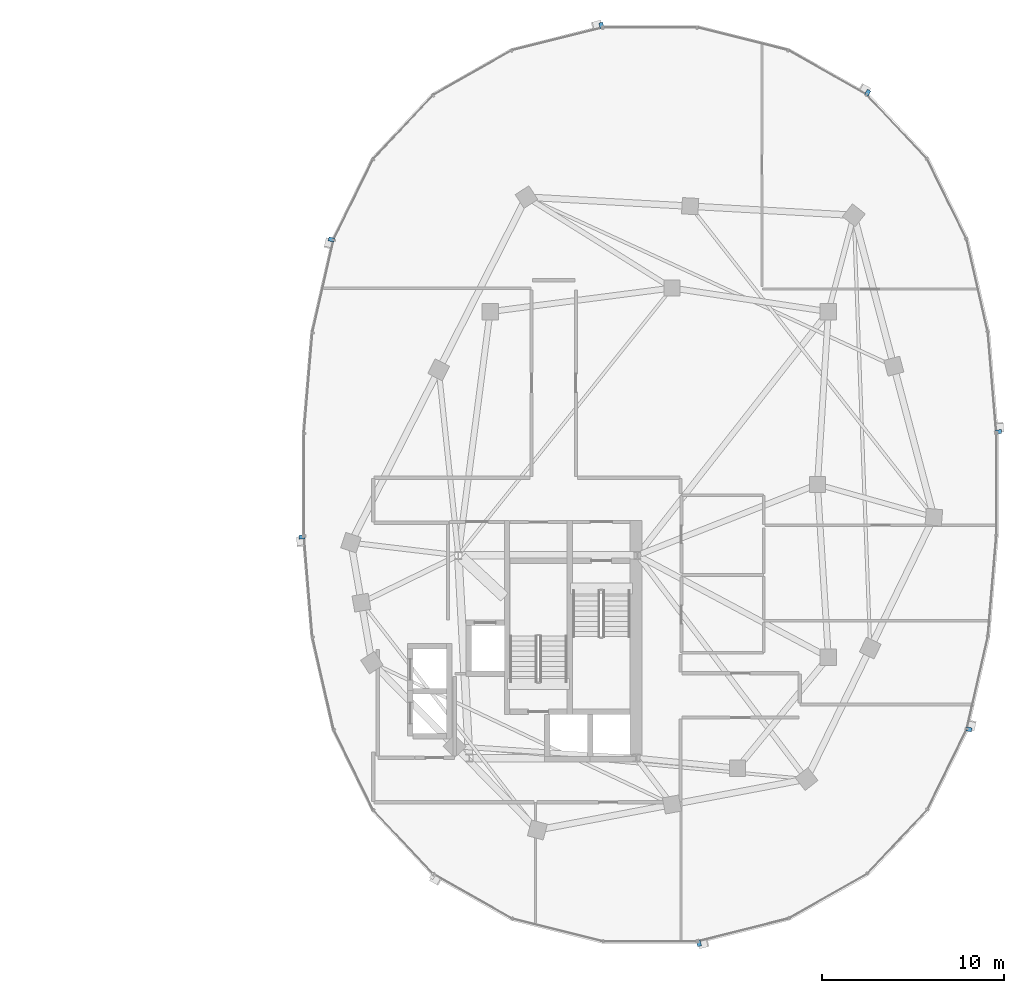
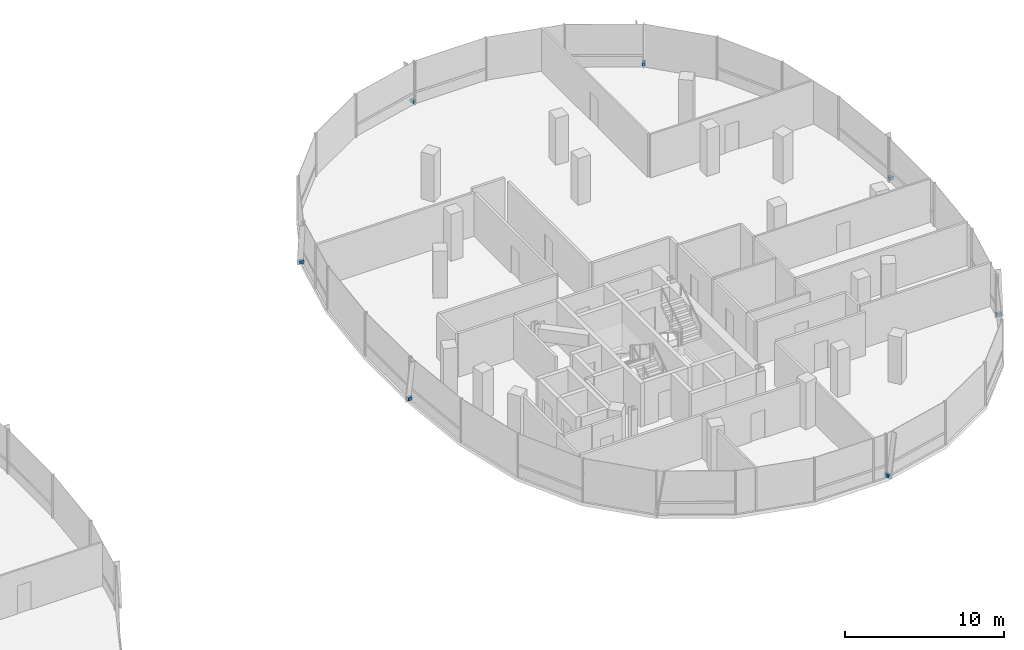
# One storey, part 20 of 25: 7 discrete accessories.
"""IFC4 building model written with IfcOpenShell, lengths in metres."""

from ifc_helpers import new_model, si_unit, direction, frame, origin, origin_2d, place, context, subcontext, project, spatial, rectangle, extrude, material, type_object, element, save


model = new_model("IFC4")

# Units and contexts
model_context = context("Model", 3, precision=1e-05, world=origin(), true_north=direction((0.0, 1.0)))
body_context = subcontext(model_context, "Body", "Model", "MODEL_VIEW")
ifc_project = project(units=[si_unit("LENGTHUNIT", "METRE"), si_unit("AREAUNIT", "SQUARE_METRE"), si_unit("VOLUMEUNIT", "CUBIC_METRE"), si_unit("PLANEANGLEUNIT", "RADIAN"), si_unit("MASSUNIT", "GRAM", prefix="KILO"), si_unit("THERMODYNAMICTEMPERATUREUNIT", "KELVIN"), si_unit("POWERUNIT", "WATT")], contexts=[model_context])

# Site, building, storey
site_placement = place(None, origin())
site = spatial("IfcSite", under=ifc_project, at=site_placement, CompositionType="ELEMENT")
building_placement = place(site_placement, origin())
building = spatial("IfcBuilding", under=site, at=building_placement, Name="Cundina Bronze Exchange", CompositionType="ELEMENT")
storey_placement = place(building_placement, frame((0.0, 0.0, 213.39990234375)))
storey = spatial("IfcBuildingStorey", under=building, at=storey_placement, Name="L56", CompositionType="ELEMENT", Elevation=213.39990234375)

# Discrete accessories
ifc_material = material(Name="Anodised Bronze Aluminium 6063-T6", Category="aluminium")
discrete_accessory_type = type_object("IfcDiscreteAccessoryType", Name="ACC-BRK-FIN", PredefinedType="BRACKET", material=ifc_material)
for number, where, z_axis, x_axis, name in (
    (1, (51.15478515625, 2.893798828125, 0.10009765625), (0.0, 0.0, 1.0), (-0.083747411454, 0.996487015006, 0.0), "L56 Fin Support Bracket 1"),
    (2, (43.961181640625, 21.539794921875, 0.10009765625), (0.0, 0.0, 1.0), (-0.869572506985, 0.493805280547, 0.0), "L56 Fin Support Bracket 5"),
    (3, (29.321044921875, 25.23779296875, 0.10009765625), (0.0, 0.0, 1.0), (-0.969731542251, -0.244173577528, 0.0), "L56 Fin Support Bracket 1"),
    (4, (14.470458984375, 13.468505859375, 0.10009765625), (0.0, 0.0, 1.0), (-0.223284141459, -0.974753400698, 0.0), "L56 Fin Support Bracket 5"),
    (5, (12.84521484375, -2.893798828125, 0.10009765625), (0.0, 0.0, 1.0), (0.083747411454, -0.996487015006, 0.0), "L56 Fin Support Bracket 1"),
    (6, (34.678955078125, -25.23779296875, 0.10009765625), (0.0, 0.0, 1.0), (0.969731542251, 0.244173577528, 0.0), "L56 Fin Support Bracket 1"),
    (7, (49.529541015625, -13.468505859375, 0.10009765625), (0.0, 0.0, 1.0), (0.223284141459, 0.974753400698, 0.0), "L56 Fin Support Bracket 5"),
):
    element("IfcDiscreteAccessory", number, at=place(storey_placement, frame(where, z_axis=z_axis, x_axis=x_axis)), inside=storey, type_object=discrete_accessory_type, Name=name, PredefinedType="BRACKET", context=body_context, shape_type="SweptSolid", body=[
        extrude(rectangle(XDim=0.219970703125, YDim=0.320068359375, at=origin_2d()), origin(), (0.0, 0.0, 1.0), 0.239990234375),
    ])

save(model, "model.ifc")
